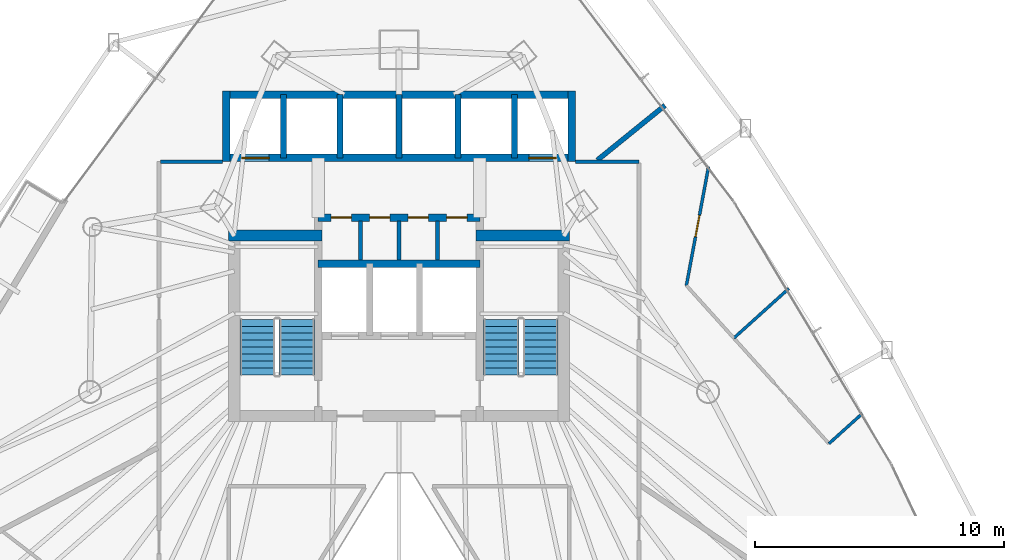
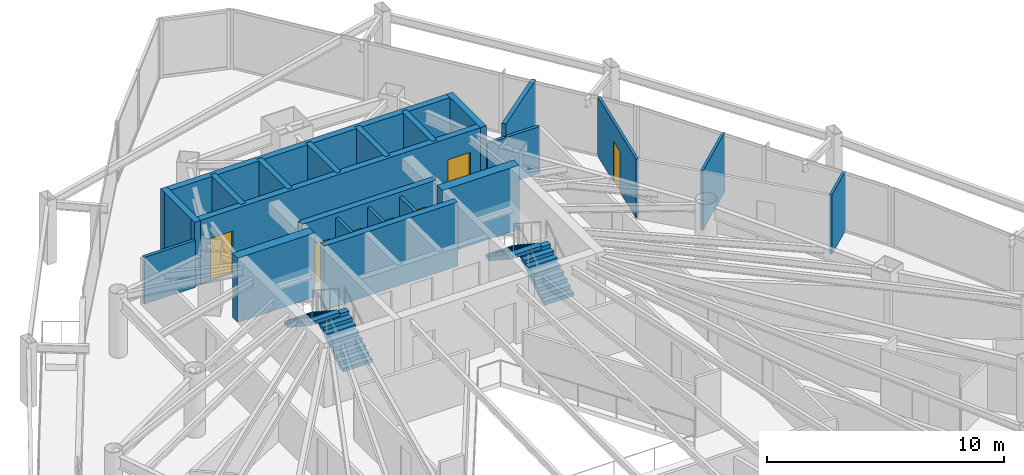
# One storey, part 31 of 34: 22 walls, 7 doors, 4 stair flights, 7 openings, 2 elements without a shape of their own.
"""IFC4 building model written with IfcOpenShell, lengths in metres."""

from ifc_helpers import new_model, si_unit, direction, frame, frame_2d, origin, place, context, subcontext, project, spatial, polyline, rectangle, outline, extrude, material, layer, layer_set, type_object, element, fill, aggregate, save


model = new_model("IFC4")

# Units and contexts
model_context = context("Model", 3, precision=1e-05, world=origin(), true_north=direction((0.0, 1.0)))
body_context = subcontext(model_context, "Body", "Model", "MODEL_VIEW")
ifc_project = project(units=[si_unit("LENGTHUNIT", "METRE"), si_unit("AREAUNIT", "SQUARE_METRE"), si_unit("VOLUMEUNIT", "CUBIC_METRE"), si_unit("PLANEANGLEUNIT", "RADIAN"), si_unit("MASSUNIT", "GRAM", prefix="KILO")], contexts=[model_context])

# Site, building, storey
site_placement = place(None, origin())
site = spatial("IfcSite", under=ifc_project, at=site_placement, CompositionType="ELEMENT")
building_placement = place(site_placement, origin())
building = spatial("IfcBuilding", under=site, at=building_placement, Name="Orvanel Arch Residences", CompositionType="ELEMENT")
storey_placement = place(building_placement, frame((0.0, 0.0, 74.14990234375)))
storey = spatial("IfcBuildingStorey", under=building, at=storey_placement, Name="L20", CompositionType="ELEMENT", Elevation=74.14990234375)

# Walls
ifc_material_1 = material(Name="Concrete N50 (50 MPa)", Category="concrete")
ifc_layer_1 = layer(ifc_material_1, 0.25)
ifc_layer_set_1 = layer_set([ifc_layer_1], Name="Concrete N50 (50 MPa)")
wall_type_1 = type_object("IfcWallType", Name="SW-CORE-250", PredefinedType="SHEAR", material=ifc_layer_set_1)
for number, where, z_axis, x_axis, name in (
    (1, (28.35009765625, 37.050048828125, 0.0), (0.0, 0.0, 1.0), (0.0, 1.0, 0.0), "L20 Passenger Lift Inter-Shaft Wall P13"),
    (2, (30.625, 37.050048828125, 0.0), (0.0, 0.0, 1.0), (0.0, 1.0, 0.0), "L20 Passenger Lift Inter-Shaft Wall P35"),
    (3, (33.0, 37.050048828125, 0.0), (0.0, 0.0, 1.0), (0.0, 1.0, 0.0), "L20 Passenger Lift Inter-Shaft Wall P56"),
    (4, (35.375, 37.050048828125, 0.0), (0.0, 0.0, 1.0), (0.0, 1.0, 0.0), "L20 Passenger Lift Inter-Shaft Wall P64"),
    (5, (37.64990234375, 37.050048828125, 0.0), (0.0, 0.0, 1.0), (0.0, 1.0, 0.0), "L20 Passenger Lift Inter-Shaft Wall P42"),
):
    element("IfcWall", number, at=place(storey_placement, frame(where, z_axis=z_axis, x_axis=x_axis)), inside=storey, type_object=wall_type_1, Name=name, PredefinedType="SHEAR", context=body_context, shape_type="SweptSolid", body=[
        extrude(rectangle(XDim=2.550048828125, YDim=0.25, at=frame_2d((1.27490234375, 0.0))), origin(), (0.0, 0.0, 1.0), 3.300048828125),
    ])
ifc_material_2 = material(Name="Concrete S80 (80 MPa)", Category="concrete")
ifc_layer_2 = layer(ifc_material_2, 0.300048828125)
ifc_layer_set_2 = layer_set([ifc_layer_2], Name="Concrete S80 (80 MPa)")
wall_type_2 = type_object("IfcWallType", Name="SW-CORE-300", PredefinedType="SHEAR", material=ifc_layer_set_2)
wall_1_placement = place(storey_placement, frame((29.75, 32.800048828125, 0.0), z_axis=(0.0, 0.0, 1.0), x_axis=(1.0, 0.0, 0.0)))
element("IfcWall", 6, at=wall_1_placement, inside=storey, type_object=wall_type_2, Name="L20 Emergency Lift Back Core Shear Wall", PredefinedType="SHEAR", context=body_context, shape_type="SweptSolid", body=[
    extrude(rectangle(XDim=6.5, YDim=0.300048828125, at=frame_2d((3.25, 0.0))), origin(), (0.0, 0.0, 1.0), 3.300048828125),
])

# Wall, openings, doors
wall_2_placement = place(storey_placement, frame((29.75, 34.64990234375, 0.0), z_axis=(0.0, 0.0, 1.0), x_axis=(1.0, 0.0, 0.0)))
wall_2 = element("IfcWall", 7, at=wall_2_placement, inside=storey, type_object=wall_type_2, Name="L20 Core Service Band North Shear Wall", PredefinedType="SHEAR", context=body_context, shape_type="SweptSolid", body=[
    extrude(rectangle(XDim=6.5, YDim=0.300048828125, at=frame_2d((3.25, 0.0))), origin(), (0.0, 0.0, 1.0), 3.300048828125),
])
opening_1_placement = place(wall_2_placement, frame((0.514892578125, 0.0, 0.0)))
opening_1 = element("IfcOpeningElement", 8, at=opening_1_placement, cuts=wall_2, Name="Opening DS-082", PredefinedType="OPENING", context=body_context, shape_type="SweptSolid", body=[
    extrude(rectangle(XDim=0.820068359375, YDim=2.10009765625, at=frame_2d((0.41015625, 1.050048828125))), frame((0.0, 0.159912109375, 0.0), z_axis=(0.0, -1.0, 0.0), x_axis=(1.0, 0.0, 0.0)), (0.0, 0.0, 1.0), 0.320068359375),
])
opening_2_placement = place(wall_2_placement, frame((2.06494140625, 0.0, 0.0)))
opening_2 = element("IfcOpeningElement", 9, at=opening_2_placement, cuts=wall_2, Name="Opening DS-082", PredefinedType="OPENING", context=body_context, shape_type="SweptSolid", body=[
    extrude(rectangle(XDim=0.820068359375, YDim=2.10009765625, at=frame_2d((0.41015625, 1.050048828125))), frame((0.0, 0.159912109375, 0.0), z_axis=(0.0, -1.0, 0.0), x_axis=(1.0, 0.0, 0.0)), (0.0, 0.0, 1.0), 0.320068359375),
])
opening_3_placement = place(wall_2_placement, frame((3.614990234375, 0.0, 0.0)))
opening_3 = element("IfcOpeningElement", 10, at=opening_3_placement, cuts=wall_2, Name="Opening DS-082", PredefinedType="OPENING", context=body_context, shape_type="SweptSolid", body=[
    extrude(rectangle(XDim=0.820068359375, YDim=2.10009765625, at=frame_2d((0.41015625, 1.050048828125))), frame((0.0, 0.159912109375, 0.0), z_axis=(0.0, -1.0, 0.0), x_axis=(1.0, 0.0, 0.0)), (0.0, 0.0, 1.0), 0.320068359375),
])
opening_4_placement = place(wall_2_placement, frame((5.1650390625, 0.0, 0.0)))
opening_4 = element("IfcOpeningElement", 11, at=opening_4_placement, cuts=wall_2, Name="Opening DS-082", PredefinedType="OPENING", context=body_context, shape_type="SweptSolid", body=[
    extrude(rectangle(XDim=0.820068359375, YDim=2.10009765625, at=frame_2d((0.41015625, 1.050048828125))), frame((0.0, 0.159912109375, 0.0), z_axis=(0.0, -1.0, 0.0), x_axis=(1.0, 0.0, 0.0)), (0.0, 0.0, 1.0), 0.320068359375),
])
ifc_material_3 = material(Name="Galvanised steel fire-resisting door assembly", Category="steel")
door_type_1 = type_object("IfcDoorType", Name="DR-SVC-820", OperationType="NOTDEFINED", PredefinedType="DOOR", material=ifc_material_3)
door_1_placement = place(opening_1_placement, origin())
door_1 = element("IfcDoor", 12, at=door_1_placement, inside=storey, type_object=door_type_1, Name="DR-L20-CSVC-1 L20 Linen Store Door", OperationType="SINGLE_SWING_LEFT", OverallHeight=2.10009765625, OverallWidth=0.820068359375, PredefinedType="DOOR", context=body_context, shape_type="SweptSolid", body=[
    extrude(rectangle(XDim=0.820068359375, YDim=2.10009765625, at=frame_2d((0.41015625, 1.050048828125))), frame((0.0, 0.02490234375, 0.0), z_axis=(0.0, -1.0, 0.0), x_axis=(1.0, 0.0, 0.0)), (0.0, 0.0, 1.0), 0.050048828125),
])
fill(opening_1, door_1)
door_2_placement = place(opening_2_placement, origin())
door_2 = element("IfcDoor", 13, at=door_2_placement, inside=storey, type_object=door_type_1, Name="DR-L20-CSVC-2 L20 Cleaner's Store Door", OperationType="SINGLE_SWING_LEFT", OverallHeight=2.10009765625, OverallWidth=0.820068359375, PredefinedType="DOOR", context=body_context, shape_type="SweptSolid", body=[
    extrude(rectangle(XDim=0.820068359375, YDim=2.10009765625, at=frame_2d((0.41015625, 1.050048828125))), frame((0.0, 0.02490234375, 0.0), z_axis=(0.0, -1.0, 0.0), x_axis=(1.0, 0.0, 0.0)), (0.0, 0.0, 1.0), 0.050048828125),
])
fill(opening_2, door_2)
door_3_placement = place(opening_3_placement, origin())
door_3 = element("IfcDoor", 14, at=door_3_placement, inside=storey, type_object=door_type_1, Name="DR-L20-CSVC-3 L20 Electrical Meter Store Door", OperationType="SINGLE_SWING_LEFT", OverallHeight=2.10009765625, OverallWidth=0.820068359375, PredefinedType="DOOR", context=body_context, shape_type="SweptSolid", body=[
    extrude(rectangle(XDim=0.820068359375, YDim=2.10009765625, at=frame_2d((0.41015625, 1.050048828125))), frame((0.0, 0.02490234375, 0.0), z_axis=(0.0, -1.0, 0.0), x_axis=(1.0, 0.0, 0.0)), (0.0, 0.0, 1.0), 0.050048828125),
])
fill(opening_3, door_3)
door_4_placement = place(opening_4_placement, origin())
door_4 = element("IfcDoor", 15, at=door_4_placement, inside=storey, type_object=door_type_1, Name="DR-L20-CSVC-4 L20 Housekeeping Supply Store Door", OperationType="SINGLE_SWING_LEFT", OverallHeight=2.10009765625, OverallWidth=0.820068359375, PredefinedType="DOOR", context=body_context, shape_type="SweptSolid", body=[
    extrude(rectangle(XDim=0.820068359375, YDim=2.10009765625, at=frame_2d((0.41015625, 1.050048828125))), frame((0.0, 0.02490234375, 0.0), z_axis=(0.0, -1.0, 0.0), x_axis=(1.0, 0.0, 0.0)), (0.0, 0.0, 1.0), 0.050048828125),
])
fill(opening_4, door_4)

wall_3_placement = place(storey_placement, frame((40.10009765625, 37.050048828125, 0.0), z_axis=(0.0, 0.0, 1.0), x_axis=(-1.0, 0.0, 0.0)))
wall_3 = element("IfcWall", 16, at=wall_3_placement, inside=storey, type_object=wall_type_2, Name="L20 Passenger Lift Bank Front Shear Wall", PredefinedType="SHEAR", context=body_context, shape_type="SweptSolid", body=[
    extrude(rectangle(XDim=14.2001953125, YDim=0.300048828125, at=frame_2d((7.10009765625, 0.0))), origin(), (0.0, 0.0, 1.0), 3.300048828125),
])
opening_5_placement = place(wall_3_placement, frame((12.324951171875, 0.0, 0.0)))
opening_5 = element("IfcOpeningElement", 17, at=opening_5_placement, cuts=wall_3, Name="Opening LD-110", PredefinedType="OPENING", context=body_context, shape_type="SweptSolid", body=[
    extrude(rectangle(XDim=1.10009765625, YDim=2.199951171875, at=frame_2d((0.550048828125, 1.10009765625))), frame((0.0, 0.159912109375, 0.0), z_axis=(0.0, -1.0, 0.0), x_axis=(1.0, 0.0, 0.0)), (0.0, 0.0, 1.0), 0.320068359375),
])
opening_6_placement = place(wall_3_placement, frame((0.77490234375, 0.0, 0.0)))
opening_6 = element("IfcOpeningElement", 18, at=opening_6_placement, cuts=wall_3, Name="Opening LD-110", PredefinedType="OPENING", context=body_context, shape_type="SweptSolid", body=[
    extrude(rectangle(XDim=1.10009765625, YDim=2.199951171875, at=frame_2d((0.550048828125, 1.10009765625))), frame((0.0, 0.159912109375, 0.0), z_axis=(0.0, -1.0, 0.0), x_axis=(1.0, 0.0, 0.0)), (0.0, 0.0, 1.0), 0.320068359375),
])
door_type_2 = type_object("IfcDoorType", Name="DR-LFT-1100", OperationType="NOTDEFINED", PredefinedType="DOOR", material=ifc_material_3)
door_5_placement = place(opening_5_placement, origin())
door_5 = element("IfcDoor", 19, at=door_5_placement, inside=storey, type_object=door_type_2, Name="LD-P1-L20 L20 Passenger Lift P1 Sliding Landing Door", OperationType="DOUBLE_DOOR_SLIDING", OverallHeight=2.199951171875, OverallWidth=1.10009765625, PredefinedType="DOOR", context=body_context, shape_type="SweptSolid", body=[
    extrude(rectangle(XDim=1.10009765625, YDim=2.199951171875, at=frame_2d((0.550048828125, 1.10009765625))), frame((0.0, 0.02490234375, 0.0), z_axis=(0.0, -1.0, 0.0), x_axis=(1.0, 0.0, 0.0)), (0.0, 0.0, 1.0), 0.050048828125),
])
fill(opening_5, door_5)
door_6_placement = place(opening_6_placement, origin())
door_6 = element("IfcDoor", 20, at=door_6_placement, inside=storey, type_object=door_type_2, Name="LD-P2-L20 L20 Passenger Lift P2 Sliding Landing Door", OperationType="DOUBLE_DOOR_SLIDING", OverallHeight=2.199951171875, OverallWidth=1.10009765625, PredefinedType="DOOR", context=body_context, shape_type="SweptSolid", body=[
    extrude(rectangle(XDim=1.10009765625, YDim=2.199951171875, at=frame_2d((0.550048828125, 1.10009765625))), frame((0.0, 0.02490234375, 0.0), z_axis=(0.0, -1.0, 0.0), x_axis=(1.0, 0.0, 0.0)), (0.0, 0.0, 1.0), 0.050048828125),
])
fill(opening_6, door_6)

# Walls
wall_4_placement = place(storey_placement, frame((25.89990234375, 39.60009765625, 0.0), z_axis=(0.0, 0.0, 1.0), x_axis=(1.0, 0.0, 0.0)))
element("IfcWall", 21, at=wall_4_placement, inside=storey, type_object=wall_type_2, Name="L20 Passenger Lift Bank North Shear Wall", PredefinedType="SHEAR", context=body_context, shape_type="SweptSolid", body=[
    extrude(rectangle(XDim=14.2001953125, YDim=0.300048828125, at=frame_2d((7.10009765625, 0.0))), origin(), (0.0, 0.0, 1.0), 3.300048828125),
])
for number, where, z_axis, x_axis, name in (
    (22, (26.050048828125, 36.89990234375, 0.0), (0.0, 0.0, 1.0), (0.0, 1.0, 0.0), "L20 Passenger Lift Bank West Shear Wall"),
    (23, (39.949951171875, 36.89990234375, 0.0), (0.0, 0.0, 1.0), (0.0, 1.0, 0.0), "L20 Passenger Lift Bank East Shear Wall"),
):
    element("IfcWall", number, at=place(storey_placement, frame(where, z_axis=z_axis, x_axis=x_axis)), inside=storey, type_object=wall_type_2, Name=name, PredefinedType="SHEAR", context=body_context, shape_type="SweptSolid", body=[
        extrude(rectangle(XDim=2.85009765625, YDim=0.300048828125, at=frame_2d((1.425048828125, 0.0))), origin(), (0.0, 0.0, 1.0), 3.300048828125),
    ])
ifc_layer_3 = layer(ifc_material_2, 0.449951171875)
ifc_layer_set_3 = layer_set([ifc_layer_3], Name="Concrete S80 (80 MPa)")
wall_type_3 = type_object("IfcWallType", Name="SW-CORE-450", PredefinedType="SHEAR", material=ifc_layer_set_3)
for number, where, z_axis, x_axis, name in (
    (24, (26.14990234375, 33.925048828125, 0.0), (0.0, 0.0, 1.0), (1.0, 0.0, 0.0), "L20 West Stair North Shear Wall"),
    (25, (36.10009765625, 33.925048828125, 0.0), (0.0, 0.0, 1.0), (1.0, 0.0, 0.0), "L20 East Stair North Shear Wall"),
):
    element("IfcWall", number, at=place(storey_placement, frame(where, z_axis=z_axis, x_axis=x_axis)), inside=storey, type_object=wall_type_3, Name=name, PredefinedType="SHEAR", context=body_context, shape_type="SweptSolid", body=[
        extrude(rectangle(XDim=3.75, YDim=0.449951171875, at=frame_2d((1.875, 0.0))), origin(), (0.0, 0.0, 1.0), 3.300048828125),
    ])
ifc_material_4 = material(Name="Fire-rated plasterboard lined steel stud partition", Category="steel")
ifc_layer_4 = layer(ifc_material_4, 0.14990234375)
ifc_layer_set_4 = layer_set([ifc_layer_4], Name="Fire-rated plasterboard lined steel stud partition")
wall_type_4 = type_object("IfcWallType", Name="W-COR-150", PredefinedType="PARTITIONING", material=ifc_layer_set_4)
wall_5_placement = place(storey_placement, frame((40.10009765625, 36.89990234375, 0.0), z_axis=(0.0, 0.0, 1.0), x_axis=(1.0, 0.0, 0.0)))
element("IfcWall", 26, at=wall_5_placement, inside=storey, type_object=wall_type_4, Name="L20 Corridor Fire-Rated Partition", PredefinedType="PARTITIONING", context=body_context, shape_type="SweptSolid", body=[
    extrude(rectangle(XDim=2.5498046875, YDim=0.14990234375, at=frame_2d((1.27490234375, 0.0))), origin(), (0.0, 0.0, 1.0), 2.4130859375),
])
wall_6_placement = place(storey_placement, frame((23.409912109375, 36.89990234375, 0.0), z_axis=(0.0, 0.0, 1.0), x_axis=(1.0, 0.0, 0.0)))
element("IfcWall", 27, at=wall_6_placement, inside=storey, type_object=wall_type_4, Name="L20 Corridor Fire-Rated Partition", PredefinedType="PARTITIONING", context=body_context, shape_type="SweptSolid", body=[
    extrude(rectangle(XDim=2.489990234375, YDim=0.14990234375, at=frame_2d((1.2451171875, 0.0))), origin(), (0.0, 0.0, 1.0), 2.4130859375),
])
ifc_layer_5 = layer(ifc_material_4, 0.199951171875)
ifc_layer_set_5 = layer_set([ifc_layer_5], Name="Fire-rated plasterboard lined steel stud partition")
wall_type_5 = type_object("IfcWallType", Name="W-DEM-200", PredefinedType="PARTITIONING", material=ifc_layer_set_5)
wall_7_placement = place(storey_placement, frame((43.694091796875, 39.159912109375, 0.0), z_axis=(0.0, 0.0, 1.0), x_axis=(-0.777183068613, -0.629274564765, 0.0)))
element("IfcWall", 28, at=wall_7_placement, inside=storey, type_object=wall_type_5, Name="L20 Inter-Tenancy Acoustic Demising Wall", PredefinedType="PARTITIONING", context=body_context, shape_type="SweptSolid", body=[
    extrude(rectangle(XDim=3.49609375, YDim=0.199951171875, at=frame_2d((1.748046875, 0.0))), origin(), (0.0, 0.0, 1.0), 3.06005859375),
])
ifc_layer_6 = layer(ifc_material_4, 0.14990234375)
ifc_layer_set_6 = layer_set([ifc_layer_6], Name="Fire-rated plasterboard lined steel stud partition")
wall_type_6 = type_object("IfcWallType", Name="W-ST-150", PredefinedType="PARTITIONING", material=ifc_layer_set_6)
for number, where, z_axis, x_axis, name in (
    (29, (31.449951171875, 32.93505859375, 0.0), (0.0, 0.0, 1.0), (0.0, 1.0, 0.0), "L20 Core Service Partition 1"),
    (30, (33.0, 32.93505859375, 0.0), (0.0, 0.0, 1.0), (0.0, 1.0, 0.0), "L20 Core Service Partition 2"),
    (31, (34.550048828125, 32.93505859375, 0.0), (0.0, 0.0, 1.0), (0.0, 1.0, 0.0), "L20 Core Service Partition 3"),
):
    element("IfcWall", number, at=place(storey_placement, frame(where, z_axis=z_axis, x_axis=x_axis)), inside=storey, type_object=wall_type_6, Name=name, PredefinedType="PARTITIONING", context=body_context, shape_type="SweptSolid", body=[
        extrude(rectangle(XDim=1.579833984375, YDim=0.14990234375, at=frame_2d((0.7900390625, 0.0))), origin(), (0.0, 0.0, 1.0), 3.06005859375),
    ])
ifc_material_5 = material(Name="Acoustic plasterboard lined twin-stud partition", Category="gypsum")
ifc_layer_7 = layer(ifc_material_5, 0.1201171875)
ifc_layer_set_7 = layer_set([ifc_layer_7], Name="Acoustic plasterboard lined twin-stud partition")
wall_type_7 = type_object("IfcWallType", Name="W-WET-120", PredefinedType="PARTITIONING", material=ifc_layer_set_7)
wall_8_placement = place(storey_placement, frame((50.291015625, 25.55908203125, 0.0), z_axis=(0.0, 0.0, 1.0), x_axis=(0.742845405041, 0.669462996894, 0.0)))
element("IfcWall", 32, at=wall_8_placement, inside=storey, type_object=wall_type_7, Name="L20 Studio C Bathroom Partition", PredefinedType="PARTITIONING", context=body_context, shape_type="SweptSolid", body=[
    extrude(rectangle(XDim=1.813232421875, YDim=0.1201171875, at=frame_2d((0.90673828125, 0.0))), origin(), (0.0, 0.0, 1.0), 3.06005859375),
])

# Wall, opening, door
wall_9_placement = place(storey_placement, frame((45.449951171875, 36.702880859375, 0.0), z_axis=(0.0, 0.0, 1.0), x_axis=(-0.183267636936, -0.9830630566, 0.0)))
wall_9 = element("IfcWall", 33, at=wall_9_placement, inside=storey, type_object=wall_type_7, Name="L20 Studio C Internal Partition", PredefinedType="PARTITIONING", context=body_context, shape_type="SweptSolid", body=[
    extrude(rectangle(XDim=4.866455078125, YDim=0.1201171875, at=frame_2d((2.43310546875, 0.0))), origin(), (0.0, 0.0, 1.0), 3.06005859375),
])
opening_7_placement = place(wall_9_placement, frame((1.992919921875, 0.0, 0.0)))
opening_7 = element("IfcOpeningElement", 34, at=opening_7_placement, cuts=wall_9, Name="Opening DI-088", PredefinedType="OPENING", context=body_context, shape_type="SweptSolid", body=[
    extrude(rectangle(XDim=0.8798828125, YDim=2.10009765625, at=frame_2d((0.43994140625, 1.050048828125))), frame((0.0, 0.070068359375, 0.0), z_axis=(0.0, -1.0, 0.0), x_axis=(1.0, 0.0, 0.0)), (0.0, 0.0, 1.0), 0.14013671875),
])
ifc_material_6 = material(Name="Solid-core European oak veneer fire door leaf", Category="wood")
door_type_3 = type_object("IfcDoorType", Name="DR-INT-880", OperationType="NOTDEFINED", PredefinedType="DOOR", material=ifc_material_6)
door_7_placement = place(opening_7_placement, origin())
door_7 = element("IfcDoor", 35, at=door_7_placement, inside=storey, type_object=door_type_3, Name="DR-L20-C-KIT L20 Studio C Kitchenette Door", OperationType="SINGLE_SWING_LEFT", OverallHeight=2.10009765625, OverallWidth=0.8798828125, PredefinedType="DOOR", context=body_context, shape_type="SweptSolid", body=[
    extrude(rectangle(XDim=0.8798828125, YDim=2.10009765625, at=frame_2d((0.43994140625, 1.050048828125))), frame((0.0, 0.02490234375, 0.0), z_axis=(0.0, -1.0, 0.0), x_axis=(1.0, 0.0, 0.0)), (0.0, 0.0, 1.0), 0.050048828125),
])
fill(opening_7, door_7)

# Wall
wall_10_placement = place(storey_placement, frame((46.466064453125, 29.802978515625, 0.0), z_axis=(0.0, 0.0, 1.0), x_axis=(0.742837964983, 0.669471252392, 0.0)))
element("IfcWall", 36, at=wall_10_placement, inside=storey, type_object=wall_type_7, Name="L20 Studio C Bathroom Partition", PredefinedType="PARTITIONING", context=body_context, shape_type="SweptSolid", body=[
    extrude(rectangle(XDim=2.981689453125, YDim=0.1201171875, at=frame_2d((1.49072265625, 0.0))), origin(), (0.0, 0.0, 1.0), 3.06005859375),
])

# Stair, stair flights
ifc_material_7 = material(Name="Precast concrete N50 (50 MPa)", Category="concrete")
stair_type = type_object("IfcStairType", Name="STR-DOG-184", PredefinedType="USERDEFINED", material=ifc_material_7)
stair_1_placement = place(storey_placement, origin())
stair_1 = element("IfcStair", 37, at=stair_1_placement, inside=storey, type_object=stair_type, Name="L20 Fire-Isolated Core Exit Stair 1", ObjectType="TWO_RETURN_STAIR", PredefinedType="USERDEFINED")
stair_flight_type_1 = type_object("IfcStairFlightType", Name="SFL-C1-184", PredefinedType="STRAIGHT", material=ifc_material_7)
stair_flight_1_placement = place(storey_placement, frame((28.889892578125, 28.320068359375, 0.0), z_axis=(0.0, 0.0, 1.0), x_axis=(0.0, 1.0, 0.0)))
stair_flight_1 = element("IfcStairFlight", 38, at=stair_flight_1_placement, type_object=stair_flight_type_1, Name="ST-1 flight 1", NumberOfRisers=9, NumberOfTreads=8, PredefinedType="STRAIGHT", RiserHeight=0.183333333, TreadLength=0.28, context=body_context, shape_type="SweptSolid", body=[
    extrude(outline(polyline([(0.0, 0.0), (0.0, 0.183349609375), (0.280029296875, 0.183349609375), (0.280029296875, 0.36669921875), (0.56005859375, 0.36669921875), (0.56005859375, 0.550048828125), (0.840087890625, 0.550048828125), (0.840087890625, 0.7333984375), (1.1201171875, 0.7333984375), (1.1201171875, 0.916748046875), (1.39990234375, 0.916748046875), (1.39990234375, 1.10009765625), (1.679931640625, 1.10009765625), (1.679931640625, 1.283447265625), (1.9599609375, 1.283447265625), (1.9599609375, 1.466552734375), (2.239990234375, 1.466552734375), (2.239990234375, 1.64990234375), (2.239990234375, 1.28759765625), (0.273681640625, 0.0), (0.0, 0.0)])), frame((0.0, 0.7099609375, 0.0), z_axis=(0.0, -1.0, 0.0), x_axis=(1.0, 0.0, 0.0)), (0.0, 0.0, 1.0), 1.419921875),
])
stair_flight_2_placement = place(storey_placement, frame((27.31005859375, 30.56005859375, 1.650146484375), z_axis=(0.0, 0.0, 1.0), x_axis=(0.0, -1.0, 0.0)))
stair_flight_2 = element("IfcStairFlight", 39, at=stair_flight_2_placement, type_object=stair_flight_type_1, Name="ST-1 flight 2", NumberOfRisers=9, NumberOfTreads=8, PredefinedType="STRAIGHT", RiserHeight=0.183333333, TreadLength=0.28, context=body_context, shape_type="SweptSolid", body=[
    extrude(outline(polyline([(0.0, 0.0), (0.0, 0.183349609375), (0.280029296875, 0.183349609375), (0.280029296875, 0.36669921875), (0.56005859375, 0.36669921875), (0.56005859375, 0.550048828125), (0.840087890625, 0.550048828125), (0.840087890625, 0.7333984375), (1.1201171875, 0.7333984375), (1.1201171875, 0.916748046875), (1.39990234375, 0.916748046875), (1.39990234375, 1.10009765625), (1.679931640625, 1.10009765625), (1.679931640625, 1.283447265625), (1.9599609375, 1.283447265625), (1.9599609375, 1.466552734375), (2.239990234375, 1.466552734375), (2.239990234375, 1.64990234375), (2.239990234375, 1.28759765625), (0.273681640625, 0.0), (0.0, 0.0)])), frame((0.0, 0.7099609375, 0.0), z_axis=(0.0, -1.0, 0.0), x_axis=(1.0, 0.0, 0.0)), (0.0, 0.0, 1.0), 1.419921875),
])
aggregate(stair_1, [stair_flight_1, stair_flight_2])

stair_2_placement = place(storey_placement, origin())
stair_2 = element("IfcStair", 40, at=stair_2_placement, inside=storey, type_object=stair_type, Name="L20 Fire-Isolated Core Exit Stair 2", ObjectType="TWO_RETURN_STAIR", PredefinedType="USERDEFINED")
stair_flight_type_2 = type_object("IfcStairFlightType", Name="SFL-C2-184", PredefinedType="STRAIGHT", material=ifc_material_7)
stair_flight_3_placement = place(storey_placement, frame((38.68994140625, 28.320068359375, 0.0), z_axis=(0.0, 0.0, 1.0), x_axis=(0.0, 1.0, 0.0)))
stair_flight_3 = element("IfcStairFlight", 41, at=stair_flight_3_placement, type_object=stair_flight_type_2, Name="ST-2 flight 1", NumberOfRisers=9, NumberOfTreads=8, PredefinedType="STRAIGHT", RiserHeight=0.183333333, TreadLength=0.28, context=body_context, shape_type="SweptSolid", body=[
    extrude(outline(polyline([(0.0, 0.0), (0.0, 0.183349609375), (0.280029296875, 0.183349609375), (0.280029296875, 0.36669921875), (0.56005859375, 0.36669921875), (0.56005859375, 0.550048828125), (0.840087890625, 0.550048828125), (0.840087890625, 0.7333984375), (1.1201171875, 0.7333984375), (1.1201171875, 0.916748046875), (1.39990234375, 0.916748046875), (1.39990234375, 1.10009765625), (1.679931640625, 1.10009765625), (1.679931640625, 1.283447265625), (1.9599609375, 1.283447265625), (1.9599609375, 1.466552734375), (2.239990234375, 1.466552734375), (2.239990234375, 1.64990234375), (2.239990234375, 1.28759765625), (0.273681640625, 0.0), (0.0, 0.0)])), frame((0.0, 0.7099609375, 0.0), z_axis=(0.0, -1.0, 0.0), x_axis=(1.0, 0.0, 0.0)), (0.0, 0.0, 1.0), 1.419921875),
])
stair_flight_4_placement = place(storey_placement, frame((37.110107421875, 30.56005859375, 1.650146484375), z_axis=(0.0, 0.0, 1.0), x_axis=(0.0, -1.0, 0.0)))
stair_flight_4 = element("IfcStairFlight", 42, at=stair_flight_4_placement, type_object=stair_flight_type_2, Name="ST-2 flight 2", NumberOfRisers=9, NumberOfTreads=8, PredefinedType="STRAIGHT", RiserHeight=0.183333333, TreadLength=0.28, context=body_context, shape_type="SweptSolid", body=[
    extrude(outline(polyline([(0.0, 0.0), (0.0, 0.183349609375), (0.280029296875, 0.183349609375), (0.280029296875, 0.36669921875), (0.56005859375, 0.36669921875), (0.56005859375, 0.550048828125), (0.840087890625, 0.550048828125), (0.840087890625, 0.7333984375), (1.1201171875, 0.7333984375), (1.1201171875, 0.916748046875), (1.39990234375, 0.916748046875), (1.39990234375, 1.10009765625), (1.679931640625, 1.10009765625), (1.679931640625, 1.283447265625), (1.9599609375, 1.283447265625), (1.9599609375, 1.466552734375), (2.239990234375, 1.466552734375), (2.239990234375, 1.64990234375), (2.239990234375, 1.28759765625), (0.273681640625, 0.0), (0.0, 0.0)])), frame((0.0, 0.7099609375, 0.0), z_axis=(0.0, -1.0, 0.0), x_axis=(1.0, 0.0, 0.0)), (0.0, 0.0, 1.0), 1.419921875),
])
aggregate(stair_2, [stair_flight_3, stair_flight_4])

save(model, "model.ifc")
